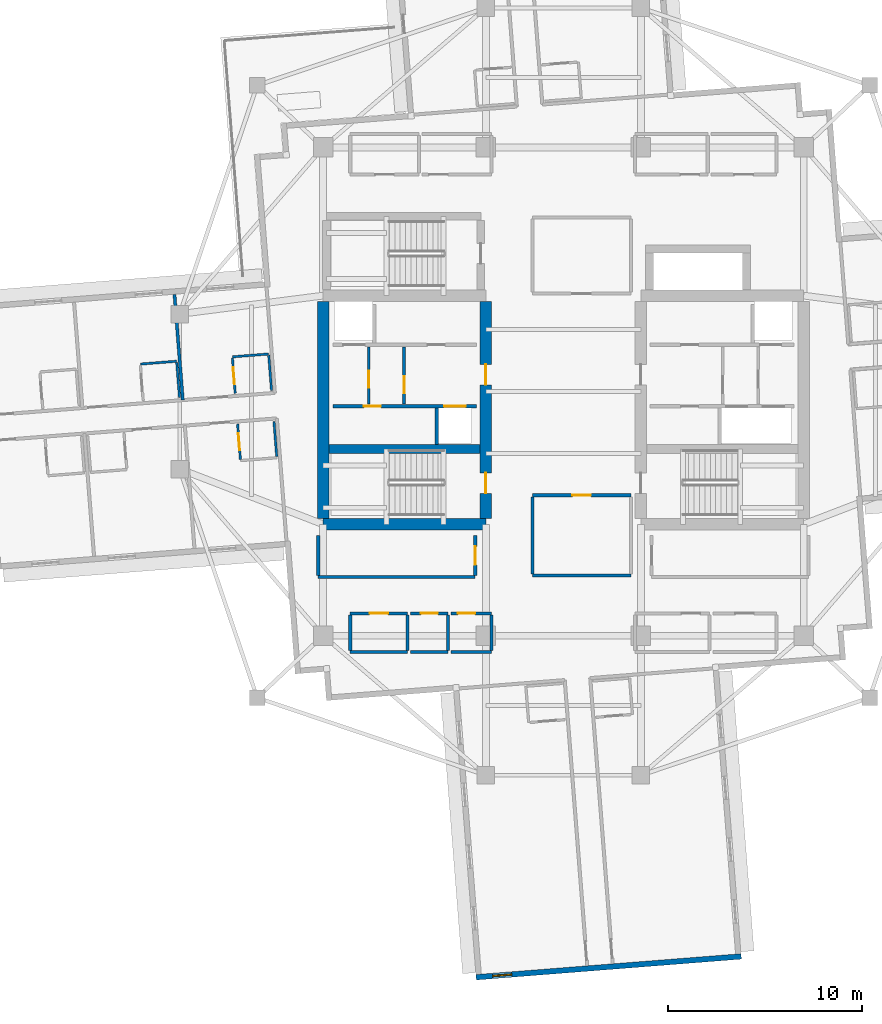
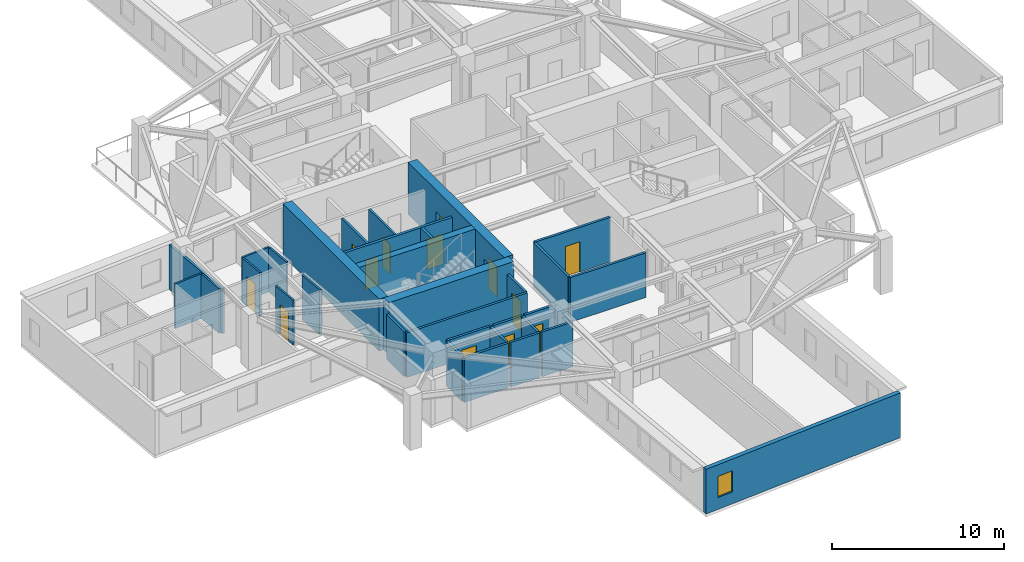
# One storey, part 4 of 13: 33 walls, 13 doors, 1 window, 14 openings.
"""IFC4 building model written with IfcOpenShell, lengths in metres."""

from ifc_helpers import new_model, si_unit, direction, frame, frame_2d, origin, place, context, subcontext, project, spatial, rectangle, extrude, material, layer, layer_set, type_object, element, fill, save


model = new_model("IFC4")

# Units and contexts
model_context = context("Model", 3, precision=1e-05, world=origin(), true_north=direction((0.0, 1.0)))
body_context = subcontext(model_context, "Body", "Model", "MODEL_VIEW")
ifc_project = project(units=[si_unit("LENGTHUNIT", "METRE"), si_unit("AREAUNIT", "SQUARE_METRE"), si_unit("VOLUMEUNIT", "CUBIC_METRE"), si_unit("PLANEANGLEUNIT", "RADIAN"), si_unit("MASSUNIT", "GRAM", prefix="KILO")], contexts=[model_context])

# Site, building, storey
site_placement = place(None, origin())
site = spatial("IfcSite", under=ifc_project, at=site_placement, CompositionType="ELEMENT")
building_placement = place(site_placement, origin())
building = spatial("IfcBuilding", under=site, at=building_placement, Name="Qingluan Cross Belvedere", CompositionType="ELEMENT")
storey_placement = place(building_placement, frame((0.0, 0.0, 205.199951171875)))
storey = spatial("IfcBuildingStorey", under=building, at=storey_placement, Name="L51", CompositionType="ELEMENT", Elevation=205.199951171875)

# Walls
ifc_material_1 = material(Name="Concrete C50", Category="concrete")
ifc_layer_1 = layer(ifc_material_1, 0.449951171875, Name="CoreShearWall_450")
ifc_layer_set_1 = layer_set([ifc_layer_1], Name="Concrete C50")
wall_type_1 = type_object("IfcWallType", Name="CoreShearWall_450", PredefinedType="SHEAR", material=ifc_layer_set_1)
wall_1_placement = place(storey_placement, frame((-12.094970703125, -2.9599609375, 0.0), z_axis=(0.0, 0.0, 1.0), x_axis=(1.0, 0.0, 0.0)))
element("IfcWall", 1, at=wall_1_placement, inside=storey, type_object=wall_type_1, Name="Split core W shear wall L51-M", PredefinedType="SHEAR", context=body_context, shape_type="SweptSolid", body=[
    extrude(rectangle(XDim=7.7900390625, YDim=0.449951171875, at=frame_2d((3.89501953125, 0.0))), origin(), (0.0, 0.0, 1.0), 3.699951171875),
])
ifc_material_2 = material(Name="Concrete C60", Category="concrete")
ifc_layer_2 = layer(ifc_material_2, 0.60009765625, Name="CoreShearWall_600")
ifc_layer_set_2 = layer_set([ifc_layer_2], Name="Concrete C60")
wall_type_2 = type_object("IfcWallType", Name="CoreShearWall_600", PredefinedType="SHEAR", material=ifc_layer_set_2)
wall_2_placement = place(storey_placement, frame((-12.39990234375, -6.85009765625, 0.0), z_axis=(0.0, 0.0, 1.0), x_axis=(1.0, 0.0, 0.0)))
element("IfcWall", 2, at=wall_2_placement, inside=storey, type_object=wall_type_2, Name="Split core W shear wall L51-S", PredefinedType="SHEAR", context=body_context, shape_type="SweptSolid", body=[
    extrude(rectangle(XDim=8.39990234375, YDim=0.60009765625, at=frame_2d((4.199951171875, 0.0))), origin(), (0.0, 0.0, 1.0), 3.699951171875),
])
wall_3_placement = place(storey_placement, frame((-12.39990234375, -6.544921875, 0.0), z_axis=(0.0, 0.0, 1.0), x_axis=(0.0, 1.0, 0.0)))
element("IfcWall", 3, at=wall_3_placement, inside=storey, type_object=wall_type_2, Name="Split core W shear wall L51-W", PredefinedType="SHEAR", context=body_context, shape_type="SweptSolid", body=[
    extrude(rectangle(XDim=11.18994140625, YDim=0.60009765625, at=frame_2d((5.594970703125, 0.0))), origin(), (0.0, 0.0, 1.0), 3.699951171875),
])

# Wall, openings, doors
wall_4_placement = place(storey_placement, frame((-4.0, -6.544921875, 0.0), z_axis=(0.0, 0.0, 1.0), x_axis=(0.0, 1.0, 0.0)))
wall_4 = element("IfcWall", 4, at=wall_4_placement, inside=storey, type_object=wall_type_2, Name="Split core W shear wall L51-E", PredefinedType="SHEAR", context=body_context, shape_type="SweptSolid", body=[
    extrude(rectangle(XDim=11.18994140625, YDim=0.60009765625, at=frame_2d((5.594970703125, 0.0))), origin(), (0.0, 0.0, 1.0), 3.699951171875),
])
opening_1_placement = place(wall_4_placement, frame((1.294921875, 0.0, 0.0)))
opening_1 = element("IfcOpeningElement", 5, at=opening_1_placement, cuts=wall_4, Name="Opening FD-B11", PredefinedType="OPENING", context=body_context, shape_type="SweptSolid", body=[
    extrude(rectangle(XDim=1.050048828125, YDim=2.14990234375, at=frame_2d((0.52490234375, 1.074951171875))), frame((0.0, 0.31005859375, 0.0), z_axis=(0.0, -1.0, 0.0), x_axis=(1.0, 0.0, 0.0)), (0.0, 0.0, 1.0), 0.6201171875),
])
opening_2_placement = place(wall_4_placement, frame((6.89501953125, 0.0, 0.0)))
opening_2 = element("IfcOpeningElement", 6, at=opening_2_placement, cuts=wall_4, Name="Opening FD-B11", PredefinedType="OPENING", context=body_context, shape_type="SweptSolid", body=[
    extrude(rectangle(XDim=1.050048828125, YDim=2.14990234375, at=frame_2d((0.52490234375, 1.074951171875))), frame((0.0, 0.31005859375, 0.0), z_axis=(0.0, -1.0, 0.0), x_axis=(1.0, 0.0, 0.0)), (0.0, 0.0, 1.0), 0.6201171875),
])
ifc_material_3 = material(Name="Steel Class B smoke-seal fire door", Category="steel")
door_type_1 = type_object("IfcDoorType", Name="StairLobbyFireDoor_FDB", OperationType="NOTDEFINED", PredefinedType="DOOR", material=ifc_material_3)
door_1_placement = place(opening_1_placement, origin())
door_1 = element("IfcDoor", 7, at=door_1_placement, inside=storey, type_object=door_type_1, Name="Smoke-proof stair ST1 fire door L51", OperationType="SINGLE_SWING_LEFT", OverallHeight=2.14990234375, OverallWidth=1.050048828125, PredefinedType="DOOR", context=body_context, shape_type="SweptSolid", body=[
    extrude(rectangle(XDim=1.050048828125, YDim=2.14990234375, at=frame_2d((0.52490234375, 1.074951171875))), frame((0.0, 0.02490234375, 0.0), z_axis=(0.0, -1.0, 0.0), x_axis=(1.0, 0.0, 0.0)), (0.0, 0.0, 1.0), 0.050048828125),
])
fill(opening_1, door_1)
door_2_placement = place(opening_2_placement, origin())
door_2 = element("IfcDoor", 8, at=door_2_placement, inside=storey, type_object=door_type_1, Name="Firefighting lobby West fire door L51", OperationType="SINGLE_SWING_LEFT", OverallHeight=2.14990234375, OverallWidth=1.050048828125, PredefinedType="DOOR", context=body_context, shape_type="SweptSolid", body=[
    extrude(rectangle(XDim=1.050048828125, YDim=2.14990234375, at=frame_2d((0.52490234375, 1.074951171875))), frame((0.0, 0.02490234375, 0.0), z_axis=(0.0, -1.0, 0.0), x_axis=(1.0, 0.0, 0.0)), (0.0, 0.0, 1.0), 0.050048828125),
])
fill(opening_2, door_2)

# Wall, opening, door
ifc_material_4 = material(Name="Gypsum plasterboard on steel stud acoustic partition", Category="steel")
ifc_layer_3 = layer(ifc_material_4, 0.159912109375, Name="CorridorPartition_160")
ifc_layer_set_3 = layer_set([ifc_layer_3], Name="Gypsum plasterboard on steel stud acoustic partition")
wall_type_3 = type_object("IfcWallType", Name="CorridorPartition_160", PredefinedType="PARTITIONING", material=ifc_layer_set_3)
wall_5_placement = place(storey_placement, frame((-10.050048828125, -0.652099609375, 0.0), z_axis=(0.0, 0.0, 1.0), x_axis=(0.0, 1.0, 0.0)))
wall_5 = element("IfcWall", 9, at=wall_5_placement, inside=storey, type_object=wall_type_3, Name="Partition L51:wv", PredefinedType="PARTITIONING", context=body_context, shape_type="SweptSolid", body=[
    extrude(rectangle(XDim=2.962158203125, YDim=0.139892578125, at=frame_2d((1.48095703125, 0.0))), origin(), (0.0, 0.0, 1.0), 3.170166015625),
])
opening_3_placement = place(wall_5_placement, frame((0.85009765625, 0.0, 0.0)))
opening_3 = element("IfcOpeningElement", 10, at=opening_3_placement, cuts=wall_5, Name="Opening FD-B10", PredefinedType="OPENING", context=body_context, shape_type="SweptSolid", body=[
    extrude(rectangle(XDim=0.8798828125, YDim=2.10009765625, at=frame_2d((0.43994140625, 1.050048828125))), frame((0.0, 0.079833984375, 0.0), z_axis=(0.0, -1.0, 0.0), x_axis=(1.0, 0.0, 0.0)), (0.0, 0.0, 1.0), 0.159912109375),
])
ifc_material_5 = material(Name="Steel Class B service fire door", Category="steel")
door_type_2 = type_object("IfcDoorType", Name="RiserServiceFireDoor_FDB", OperationType="NOTDEFINED", PredefinedType="DOOR", material=ifc_material_5)
door_3_placement = place(opening_3_placement, origin())
door_3 = element("IfcDoor", 11, at=door_3_placement, inside=storey, type_object=door_type_2, Name="Service closet inner door L51", OperationType="SINGLE_SWING_RIGHT", OverallHeight=2.10009765625, OverallWidth=0.8798828125, PredefinedType="DOOR", context=body_context, shape_type="SweptSolid", body=[
    extrude(rectangle(XDim=0.8798828125, YDim=2.10009765625, at=frame_2d((0.43994140625, 1.050048828125))), frame((0.0, 0.02490234375, 0.0), z_axis=(0.0, -1.0, 0.0), x_axis=(1.0, 0.0, 0.0)), (0.0, 0.0, 1.0), 0.050048828125),
])
fill(opening_3, door_3)

# Wall
wall_6_placement = place(storey_placement, frame((-11.0, -13.449951171875, 0.0), z_axis=(0.0, 0.0, 1.0), x_axis=(1.0, 0.0, 0.0)))
element("IfcWall", 12, at=wall_6_placement, inside=storey, type_object=wall_type_3, Name="Partition L51:q_sw_occ:S", PredefinedType="PARTITIONING", context=body_context, shape_type="SweptSolid", body=[
    extrude(rectangle(XDim=2.949951171875, YDim=0.159912109375, at=frame_2d((1.47509765625, 0.0))), origin(), (0.0, 0.0, 1.0), 3.170166015625),
])

# Wall, opening, door
wall_7_placement = place(storey_placement, frame((-11.0, -11.449951171875, 0.0), z_axis=(0.0, 0.0, 1.0), x_axis=(1.0, 0.0, 0.0)))
wall_7 = element("IfcWall", 13, at=wall_7_placement, inside=storey, type_object=wall_type_3, Name="Partition L51:q_sw_occ:N", PredefinedType="PARTITIONING", context=body_context, shape_type="SweptSolid", body=[
    extrude(rectangle(XDim=2.949951171875, YDim=0.159912109375, at=frame_2d((1.47509765625, 0.0))), origin(), (0.0, 0.0, 1.0), 3.170166015625),
])
opening_4_placement = place(wall_7_placement, frame((0.9951171875, 0.0, 0.0)))
opening_4 = element("IfcOpeningElement", 14, at=opening_4_placement, cuts=wall_7, Name="Opening GD-10", PredefinedType="OPENING", context=body_context, shape_type="SweptSolid", body=[
    extrude(rectangle(XDim=0.9599609375, YDim=2.14990234375, at=frame_2d((0.47998046875, 1.074951171875))), frame((0.0, 0.08984375, 0.0), z_axis=(0.0, -1.0, 0.0), x_axis=(1.0, 0.0, 0.0)), (0.0, 0.0, 1.0), 0.179931640625),
])
ifc_material_6 = material(Name="Timber oak fire-rated acoustic guestroom door", Category="wood")
door_type_3 = type_object("IfcDoorType", Name="GuestEntryDoor_FD60", OperationType="NOTDEFINED", PredefinedType="DOOR", material=ifc_material_6)
door_4_placement = place(opening_4_placement, origin())
door_4 = element("IfcDoor", 15, at=door_4_placement, inside=storey, type_object=door_type_3, Name="Music listening study L51 door", OperationType="SINGLE_SWING_RIGHT", OverallHeight=2.14990234375, OverallWidth=0.9599609375, PredefinedType="DOOR", context=body_context, shape_type="SweptSolid", body=[
    extrude(rectangle(XDim=0.9599609375, YDim=2.14990234375, at=frame_2d((0.47998046875, 1.074951171875))), frame((0.0, 0.02490234375, 0.0), z_axis=(0.0, -1.0, 0.0), x_axis=(1.0, 0.0, 0.0)), (0.0, 0.0, 1.0), 0.050048828125),
])
fill(opening_4, door_4)

# Walls
for number, where, z_axis, x_axis, name in (
    (16, (-11.0, -13.364990234375, 0.0), (0.0, 0.0, 1.0), (0.0, 1.0, 0.0), "Partition L51:q_sw_occ:W"),
    (17, (-8.050048828125, -13.364990234375, 0.0), (0.0, 0.0, 1.0), (0.0, 1.0, 0.0), "Partition L51:q_sw_occ:E"),
):
    element("IfcWall", number, at=place(storey_placement, frame(where, z_axis=z_axis, x_axis=x_axis)), inside=storey, type_object=wall_type_3, Name=name, PredefinedType="PARTITIONING", context=body_context, shape_type="SweptSolid", body=[
        extrude(rectangle(XDim=1.830078125, YDim=0.159912109375, at=frame_2d((0.9150390625, 0.0))), origin(), (0.0, 0.0, 1.0), 3.170166015625),
    ])
wall_8_placement = place(storey_placement, frame((-7.889892578125, -13.449951171875, 0.0), z_axis=(0.0, 0.0, 1.0), x_axis=(1.0, 0.0, 0.0)))
element("IfcWall", 18, at=wall_8_placement, inside=storey, type_object=wall_type_3, Name="Partition L51:hk_linen:S", PredefinedType="PARTITIONING", context=body_context, shape_type="SweptSolid", body=[
    extrude(rectangle(XDim=1.93994140625, YDim=0.159912109375, at=frame_2d((0.969970703125, 0.0))), origin(), (0.0, 0.0, 1.0), 3.170166015625),
])

# Wall, opening, door
wall_9_placement = place(storey_placement, frame((-7.889892578125, -11.449951171875, 0.0), z_axis=(0.0, 0.0, 1.0), x_axis=(1.0, 0.0, 0.0)))
wall_9 = element("IfcWall", 19, at=wall_9_placement, inside=storey, type_object=wall_type_3, Name="Partition L51:hk_linen:N", PredefinedType="PARTITIONING", context=body_context, shape_type="SweptSolid", body=[
    extrude(rectangle(XDim=1.93994140625, YDim=0.159912109375, at=frame_2d((0.969970703125, 0.0))), origin(), (0.0, 0.0, 1.0), 3.170166015625),
])
opening_5_placement = place(wall_9_placement, frame((0.530029296875, 0.0, 0.0)))
opening_5 = element("IfcOpeningElement", 20, at=opening_5_placement, cuts=wall_9, Name="Opening FD-B10", PredefinedType="OPENING", context=body_context, shape_type="SweptSolid", body=[
    extrude(rectangle(XDim=0.8798828125, YDim=2.10009765625, at=frame_2d((0.43994140625, 1.050048828125))), frame((0.0, 0.08984375, 0.0), z_axis=(0.0, -1.0, 0.0), x_axis=(1.0, 0.0, 0.0)), (0.0, 0.0, 1.0), 0.179931640625),
])
door_5_placement = place(opening_5_placement, origin())
door_5 = element("IfcDoor", 21, at=door_5_placement, inside=storey, type_object=door_type_2, Name="Housekeeping and linen store L51 door", OperationType="SINGLE_SWING_LEFT", OverallHeight=2.10009765625, OverallWidth=0.8798828125, PredefinedType="DOOR", context=body_context, shape_type="SweptSolid", body=[
    extrude(rectangle(XDim=0.8798828125, YDim=2.10009765625, at=frame_2d((0.43994140625, 1.050048828125))), frame((0.0, 0.02490234375, 0.0), z_axis=(0.0, -1.0, 0.0), x_axis=(1.0, 0.0, 0.0)), (0.0, 0.0, 1.0), 0.050048828125),
])
fill(opening_5, door_5)

# Walls
wall_10_placement = place(storey_placement, frame((-5.949951171875, -13.364990234375, 0.0), z_axis=(0.0, 0.0, 1.0), x_axis=(0.0, 1.0, 0.0)))
element("IfcWall", 22, at=wall_10_placement, inside=storey, type_object=wall_type_3, Name="Partition L51:hk_linen:E", PredefinedType="PARTITIONING", context=body_context, shape_type="SweptSolid", body=[
    extrude(rectangle(XDim=1.830078125, YDim=0.159912109375, at=frame_2d((0.9150390625, 0.0))), origin(), (0.0, 0.0, 1.0), 3.170166015625),
])
wall_11_placement = place(storey_placement, frame((-5.7900390625, -13.449951171875, 0.0), z_axis=(0.0, 0.0, 1.0), x_axis=(1.0, 0.0, 0.0)))
element("IfcWall", 23, at=wall_11_placement, inside=storey, type_object=wall_type_3, Name="Partition L51:floor_acc_wc:S", PredefinedType="PARTITIONING", context=body_context, shape_type="SweptSolid", body=[
    extrude(rectangle(XDim=2.090087890625, YDim=0.159912109375, at=frame_2d((1.044921875, 0.0))), origin(), (0.0, 0.0, 1.0), 3.170166015625),
])

# Wall, opening, door
wall_12_placement = place(storey_placement, frame((-5.7900390625, -11.449951171875, 0.0), z_axis=(0.0, 0.0, 1.0), x_axis=(1.0, 0.0, 0.0)))
wall_12 = element("IfcWall", 24, at=wall_12_placement, inside=storey, type_object=wall_type_3, Name="Partition L51:floor_acc_wc:N", PredefinedType="PARTITIONING", context=body_context, shape_type="SweptSolid", body=[
    extrude(rectangle(XDim=2.090087890625, YDim=0.159912109375, at=frame_2d((1.044921875, 0.0))), origin(), (0.0, 0.0, 1.0), 3.170166015625),
])
opening_6_placement = place(wall_12_placement, frame((0.35009765625, 0.0, 0.0)))
opening_6 = element("IfcOpeningElement", 25, at=opening_6_placement, cuts=wall_12, Name="Opening BD-08", PredefinedType="OPENING", context=body_context, shape_type="SweptSolid", body=[
    extrude(rectangle(XDim=0.8798828125, YDim=2.14990234375, at=frame_2d((0.43994140625, 1.074951171875))), frame((0.0, 0.08984375, 0.0), z_axis=(0.0, -1.0, 0.0), x_axis=(1.0, 0.0, 0.0)), (0.0, 0.0, 1.0), 0.179931640625),
])
ifc_material_7 = material(Name="Moisture-sealed timber accessible WC door", Category="wood")
door_type_4 = type_object("IfcDoorType", Name="AccessibleWCDoor_880", OperationType="NOTDEFINED", PredefinedType="DOOR", material=ifc_material_7)
door_6_placement = place(opening_6_placement, origin())
door_6 = element("IfcDoor", 26, at=door_6_placement, inside=storey, type_object=door_type_4, Name="Accessible guest washroom L51 door", OperationType="SINGLE_SWING_RIGHT", OverallHeight=2.14990234375, OverallWidth=0.8798828125, PredefinedType="DOOR", context=body_context, shape_type="SweptSolid", body=[
    extrude(rectangle(XDim=0.8798828125, YDim=2.14990234375, at=frame_2d((0.43994140625, 1.074951171875))), frame((0.0, 0.02490234375, 0.0), z_axis=(0.0, -1.0, 0.0), x_axis=(1.0, 0.0, 0.0)), (0.0, 0.0, 1.0), 0.050048828125),
])
fill(opening_6, door_6)

# Walls
wall_13_placement = place(storey_placement, frame((-3.699951171875, -13.364990234375, 0.0), z_axis=(0.0, 0.0, 1.0), x_axis=(0.0, 1.0, 0.0)))
element("IfcWall", 27, at=wall_13_placement, inside=storey, type_object=wall_type_3, Name="Partition L51:floor_acc_wc:E", PredefinedType="PARTITIONING", context=body_context, shape_type="SweptSolid", body=[
    extrude(rectangle(XDim=1.830078125, YDim=0.159912109375, at=frame_2d((0.9150390625, 0.0))), origin(), (0.0, 0.0, 1.0), 3.170166015625),
])
wall_14_placement = place(storey_placement, frame((-1.60009765625, -9.5, 0.0), z_axis=(0.0, 0.0, 1.0), x_axis=(1.0, 0.0, 0.0)))
element("IfcWall", 28, at=wall_14_placement, inside=storey, type_object=wall_type_3, Name="Partition L51:sky_south_alcove:S", PredefinedType="PARTITIONING", context=body_context, shape_type="SweptSolid", body=[
    extrude(rectangle(XDim=5.080078125, YDim=0.159912109375, at=frame_2d((2.5400390625, 0.0))), origin(), (0.0, 0.0, 1.0), 3.170166015625),
])

# Wall, opening, door
wall_15_placement = place(storey_placement, frame((-1.60009765625, -5.35009765625, 0.0), z_axis=(0.0, 0.0, 1.0), x_axis=(1.0, 0.0, 0.0)))
wall_15 = element("IfcWall", 29, at=wall_15_placement, inside=storey, type_object=wall_type_3, Name="Partition L51:sky_south_alcove:N", PredefinedType="PARTITIONING", context=body_context, shape_type="SweptSolid", body=[
    extrude(rectangle(XDim=5.080078125, YDim=0.159912109375, at=frame_2d((2.5400390625, 0.0))), origin(), (0.0, 0.0, 1.0), 3.170166015625),
])
opening_7_placement = place(wall_15_placement, frame((2.06005859375, 0.0, 0.0)))
opening_7 = element("IfcOpeningElement", 30, at=opening_7_placement, cuts=wall_15, Name="Opening GD-10", PredefinedType="OPENING", context=body_context, shape_type="SweptSolid", body=[
    extrude(rectangle(XDim=0.9599609375, YDim=2.14990234375, at=frame_2d((0.47998046875, 1.074951171875))), frame((0.0, 0.08984375, 0.0), z_axis=(0.0, -1.0, 0.0), x_axis=(1.0, 0.0, 0.0)), (0.0, 0.0, 1.0), 0.179931640625),
])
door_7_placement = place(opening_7_placement, origin())
door_7 = element("IfcDoor", 31, at=door_7_placement, inside=storey, type_object=door_type_3, Name="South horizon reading alcove L51 door", OperationType="SINGLE_SWING_RIGHT", OverallHeight=2.14990234375, OverallWidth=0.9599609375, PredefinedType="DOOR", context=body_context, shape_type="SweptSolid", body=[
    extrude(rectangle(XDim=0.9599609375, YDim=2.14990234375, at=frame_2d((0.47998046875, 1.074951171875))), frame((0.0, 0.02490234375, 0.0), z_axis=(0.0, -1.0, 0.0), x_axis=(1.0, 0.0, 0.0)), (0.0, 0.0, 1.0), 0.050048828125),
])
fill(opening_7, door_7)

# Walls
wall_16_placement = place(storey_placement, frame((-1.60009765625, -9.4150390625, 0.0), z_axis=(0.0, 0.0, 1.0), x_axis=(0.0, 1.0, 0.0)))
element("IfcWall", 32, at=wall_16_placement, inside=storey, type_object=wall_type_3, Name="Partition L51:sky_south_alcove:W", PredefinedType="PARTITIONING", context=body_context, shape_type="SweptSolid", body=[
    extrude(rectangle(XDim=3.97998046875, YDim=0.159912109375, at=frame_2d((1.989990234375, 0.0))), origin(), (0.0, 0.0, 1.0), 3.170166015625),
])
wall_17_placement = place(storey_placement, frame((-12.64990234375, -9.580078125, 0.0), z_axis=(0.0, 0.0, 1.0), x_axis=(1.0, 0.0, 0.0)))
element("IfcWall", 33, at=wall_17_placement, inside=storey, type_object=wall_type_3, Name="Partition L51:rec_st4_w:S", PredefinedType="PARTITIONING", context=body_context, shape_type="SweptSolid", body=[
    extrude(rectangle(XDim=8.099853515625, YDim=0.159912109375, at=frame_2d((4.0498046875, 0.0))), origin(), (0.0, 0.0, 1.0), 3.170166015625),
])
wall_18_placement = place(storey_placement, frame((-12.64990234375, -9.4951171875, 0.0), z_axis=(0.0, 0.0, 1.0), x_axis=(0.0, 1.0, 0.0)))
element("IfcWall", 34, at=wall_18_placement, inside=storey, type_object=wall_type_3, Name="Partition L51:rec_st4_w:W", PredefinedType="PARTITIONING", context=body_context, shape_type="SweptSolid", body=[
    extrude(rectangle(XDim=2.06005859375, YDim=0.159912109375, at=frame_2d((1.030029296875, 0.0))), origin(), (0.0, 0.0, 1.0), 3.170166015625),
])

# Wall, opening, door
wall_19_placement = place(storey_placement, frame((-4.550048828125, -9.4951171875, 0.0), z_axis=(0.0, 0.0, 1.0), x_axis=(0.0, 1.0, 0.0)))
wall_19 = element("IfcWall", 35, at=wall_19_placement, inside=storey, type_object=wall_type_3, Name="Partition L51:rec_st4_w:E", PredefinedType="PARTITIONING", context=body_context, shape_type="SweptSolid", body=[
    extrude(rectangle(XDim=2.06005859375, YDim=0.159912109375, at=frame_2d((1.030029296875, 0.0))), origin(), (0.0, 0.0, 1.0), 3.170166015625),
])
opening_8_placement = place(wall_19_placement, frame((0.550048828125, 0.0, 0.0)))
opening_8 = element("IfcOpeningElement", 36, at=opening_8_placement, cuts=wall_19, Name="Opening GD-10", PredefinedType="OPENING", context=body_context, shape_type="SweptSolid", body=[
    extrude(rectangle(XDim=0.9599609375, YDim=2.14990234375, at=frame_2d((0.47998046875, 1.074951171875))), frame((0.0, 0.08984375, 0.0), z_axis=(0.0, -1.0, 0.0), x_axis=(1.0, 0.0, 0.0)), (0.0, 0.0, 1.0), 0.179931640625),
])
door_8_placement = place(opening_8_placement, origin())
door_8 = element("IfcDoor", 37, at=door_8_placement, inside=storey, type_object=door_type_3, Name="Southwest club reading room L51 door", OperationType="SINGLE_SWING_RIGHT", OverallHeight=2.14990234375, OverallWidth=0.9599609375, PredefinedType="DOOR", context=body_context, shape_type="SweptSolid", body=[
    extrude(rectangle(XDim=0.9599609375, YDim=2.14990234375, at=frame_2d((0.47998046875, 1.074951171875))), frame((0.0, 0.02490234375, 0.0), z_axis=(0.0, -1.0, 0.0), x_axis=(1.0, 0.0, 0.0)), (0.0, 0.0, 1.0), 0.050048828125),
])
fill(opening_8, door_8)

# Wall
wall_20_placement = place(storey_placement, frame((-19.638916015625, -0.442138671875, 0.0), z_axis=(0.0, 0.0, 1.0), x_axis=(-0.078436439621, 0.996919116548, 0.0)))
element("IfcWall", 38, at=wall_20_placement, inside=storey, type_object=wall_type_3, Name="Partition L51:W:d0_0", PredefinedType="PARTITIONING", context=body_context, shape_type="SweptSolid", body=[
    extrude(rectangle(XDim=5.471923828125, YDim=0.159912109375, at=frame_2d((2.73583984375, 0.0))), origin(), (0.0, 0.0, 1.0), 3.170166015625),
])

# Wall, opening, door
ifc_material_8 = material(Name="Moisture-resistant gypsum board lining")
ifc_layer_4 = layer(ifc_material_8, 0.1201171875, Name="EnsuiteWetPartition_120")
ifc_layer_set_4 = layer_set([ifc_layer_4], Name="Moisture-resistant gypsum board lining")
wall_type_4 = type_object("IfcWallType", Name="EnsuiteWetPartition_120", PredefinedType="PARTITIONING", material=ifc_layer_set_4)
wall_21_placement = place(storey_placement, frame((-16.935302734375, -0.089111328125, 0.0), z_axis=(0.0, 0.0, 1.0), x_axis=(-0.078337634704, 0.996926885478, 0.0)))
wall_21 = element("IfcWall", 39, at=wall_21_placement, inside=storey, type_object=wall_type_4, Name="Partition L51:W:bs0_0", PredefinedType="PARTITIONING", context=body_context, shape_type="SweptSolid", body=[
    extrude(rectangle(XDim=1.820068359375, YDim=0.1201171875, at=frame_2d((0.91015625, 0.0))), origin(), (0.0, 0.0, 1.0), 3.170166015625),
])
opening_9_placement = place(wall_21_placement, frame((0.469970703125, 0.0, 0.0)))
opening_9 = element("IfcOpeningElement", 40, at=opening_9_placement, cuts=wall_21, Name="Opening BD-09", PredefinedType="OPENING", context=body_context, shape_type="SweptSolid", body=[
    extrude(rectangle(XDim=0.8798828125, YDim=2.10009765625, at=frame_2d((0.43994140625, 1.050048828125))), frame((0.0, 0.070068359375, 0.0), z_axis=(0.0, -1.0, 0.0), x_axis=(1.0, 0.0, 0.0)), (0.0, 0.0, 1.0), 0.14013671875),
])
ifc_material_9 = material(Name="Moisture-sealed timber en-suite door", Category="wood")
door_type_5 = type_object("IfcDoorType", Name="BathroomDoor_880", OperationType="NOTDEFINED", PredefinedType="DOOR", material=ifc_material_9)
door_9_placement = place(opening_9_placement, origin())
door_9 = element("IfcDoor", 41, at=door_9_placement, inside=storey, type_object=door_type_5, Name="Bathroom door 5107", OperationType="SINGLE_SWING_RIGHT", OverallHeight=2.10009765625, OverallWidth=0.8798828125, PredefinedType="DOOR", context=body_context, shape_type="SweptSolid", body=[
    extrude(rectangle(XDim=0.8798828125, YDim=2.10009765625, at=frame_2d((0.43994140625, 1.050048828125))), frame((0.0, 0.02490234375, 0.0), z_axis=(0.0, -1.0, 0.0), x_axis=(1.0, 0.0, 0.0)), (0.0, 0.0, 1.0), 0.050048828125),
])
fill(opening_9, door_9)

# Walls
wall_22_placement = place(storey_placement, frame((-15.06103515625, 0.05859375, 0.0), z_axis=(0.0, 0.0, 1.0), x_axis=(-0.078481444107, 0.996915574626, 0.0)))
element("IfcWall", 42, at=wall_22_placement, inside=storey, type_object=wall_type_4, Name="Partition L51:W:bw0_0", PredefinedType="PARTITIONING", context=body_context, shape_type="SweptSolid", body=[
    extrude(rectangle(XDim=1.81982421875, YDim=0.1201171875, at=frame_2d((0.909912109375, 0.0))), origin(), (0.0, 0.0, 1.0), 3.170166015625),
])
wall_23_placement = place(storey_placement, frame((-15.208984375, 1.937744140625, 0.0), z_axis=(0.0, 0.0, 1.0), x_axis=(-0.99691849475, -0.078444342213, 0.0)))
element("IfcWall", 43, at=wall_23_placement, inside=storey, type_object=wall_type_4, Name="Partition L51:W:bn0_0", PredefinedType="PARTITIONING", context=body_context, shape_type="SweptSolid", body=[
    extrude(rectangle(XDim=1.8798828125, YDim=0.1201171875, at=frame_2d((0.93994140625, 0.0))), origin(), (0.0, 0.0, 1.0), 3.170166015625),
])
wall_24_placement = place(storey_placement, frame((-19.809326171875, -0.315185546875, 0.0), z_axis=(0.0, 0.0, 1.0), x_axis=(-0.0784709492, 0.996916400774, 0.0)))
element("IfcWall", 44, at=wall_24_placement, inside=storey, type_object=wall_type_4, Name="Partition L51:W:bw0_1", PredefinedType="PARTITIONING", context=body_context, shape_type="SweptSolid", body=[
    extrude(rectangle(XDim=1.820068359375, YDim=0.1201171875, at=frame_2d((0.91015625, 0.0))), origin(), (0.0, 0.0, 1.0), 3.170166015625),
])
wall_25_placement = place(storey_placement, frame((-19.957275390625, 1.56396484375, 0.0), z_axis=(0.0, 0.0, 1.0), x_axis=(-0.99691849475, -0.078444342213, 0.0)))
element("IfcWall", 45, at=wall_25_placement, inside=storey, type_object=wall_type_4, Name="Partition L51:W:bn0_1", PredefinedType="PARTITIONING", context=body_context, shape_type="SweptSolid", body=[
    extrude(rectangle(XDim=1.8798828125, YDim=0.1201171875, at=frame_2d((0.93994140625, 0.0))), origin(), (0.0, 0.0, 1.0), 3.170166015625),
])

# Wall, opening, door
wall_26_placement = place(storey_placement, frame((-16.6669921875, -3.49853515625, 0.0), z_axis=(0.0, 0.0, 1.0), x_axis=(-0.0784709492, 0.996916400774, 0.0)))
wall_26 = element("IfcWall", 46, at=wall_26_placement, inside=storey, type_object=wall_type_4, Name="Partition L51:W:bs1_0", PredefinedType="PARTITIONING", context=body_context, shape_type="SweptSolid", body=[
    extrude(rectangle(XDim=1.820068359375, YDim=0.1201171875, at=frame_2d((0.91015625, 0.0))), origin(), (0.0, 0.0, 1.0), 3.170166015625),
])
opening_10_placement = place(wall_26_placement, frame((0.469970703125, 0.0, 0.0)))
opening_10 = element("IfcOpeningElement", 47, at=opening_10_placement, cuts=wall_26, Name="Opening BD-09", PredefinedType="OPENING", context=body_context, shape_type="SweptSolid", body=[
    extrude(rectangle(XDim=0.8798828125, YDim=2.10009765625, at=frame_2d((0.43994140625, 1.050048828125))), frame((0.0, 0.070068359375, 0.0), z_axis=(0.0, -1.0, 0.0), x_axis=(1.0, 0.0, 0.0)), (0.0, 0.0, 1.0), 0.14013671875),
])
door_10_placement = place(opening_10_placement, origin())
door_10 = element("IfcDoor", 48, at=door_10_placement, inside=storey, type_object=door_type_5, Name="Bathroom door 5110", OperationType="SINGLE_SWING_RIGHT", OverallHeight=2.10009765625, OverallWidth=0.8798828125, PredefinedType="DOOR", context=body_context, shape_type="SweptSolid", body=[
    extrude(rectangle(XDim=0.8798828125, YDim=2.10009765625, at=frame_2d((0.43994140625, 1.050048828125))), frame((0.0, 0.02490234375, 0.0), z_axis=(0.0, -1.0, 0.0), x_axis=(1.0, 0.0, 0.0)), (0.0, 0.0, 1.0), 0.050048828125),
])
fill(opening_10, door_10)

# Wall
wall_27_placement = place(storey_placement, frame((-14.792724609375, -3.35107421875, 0.0), z_axis=(0.0, 0.0, 1.0), x_axis=(-0.0784709492, 0.996916400774, 0.0)))
element("IfcWall", 49, at=wall_27_placement, inside=storey, type_object=wall_type_4, Name="Partition L51:W:bw1_0", PredefinedType="PARTITIONING", context=body_context, shape_type="SweptSolid", body=[
    extrude(rectangle(XDim=1.820068359375, YDim=0.1201171875, at=frame_2d((0.91015625, 0.0))), origin(), (0.0, 0.0, 1.0), 3.170166015625),
])

# Wall, opening, window
ifc_material_10 = material(Name="Precast concrete C45", Category="concrete")
ifc_layer_5 = layer(ifc_material_10, 0.280029296875, Name="PrecastFacadeWall_280")
ifc_layer_set_5 = layer_set([ifc_layer_5], Name="Precast concrete C45")
wall_type_5 = type_object("IfcWallType", Name="PrecastFacadeWall_280", PredefinedType="STANDARD", material=ifc_layer_set_5)
wall_28_placement = place(storey_placement, frame((-4.502197265625, -30.226318359375, 0.0), z_axis=(0.0, 0.0, 1.0), x_axis=(0.996917480881, 0.078457226018, 0.0)))
wall_28 = element("IfcWall", 50, at=wall_28_placement, inside=storey, type_object=wall_type_5, Name="Arm tip precast facade wall L51-S", PredefinedType="STANDARD", context=body_context, shape_type="SweptSolid", body=[
    extrude(rectangle(XDim=13.7197265625, YDim=0.280029296875, at=frame_2d((6.85986328125, 0.0))), origin(), (0.0, 0.0, 1.0), 3.179931640625),
])
opening_11_placement = place(wall_28_placement, frame((0.85009765625, 0.0, 0.85009765625)))
opening_11 = element("IfcOpeningElement", 51, at=opening_11_placement, cuts=wall_28, Name="Opening W-03", PredefinedType="OPENING", context=body_context, shape_type="SweptSolid", body=[
    extrude(rectangle(XDim=1.0, YDim=1.5, at=frame_2d((0.5, 0.75))), frame((0.0, 0.14990234375, 0.0), z_axis=(0.0, -1.0, 0.0), x_axis=(1.0, 0.0, 0.0)), (0.0, 0.0, 1.0), 0.300048828125),
])
ifc_material_11 = material(Name="Thermally broken triple Low-E glass in aluminium frame", Category="aluminium")
window_type = type_object("IfcWindowType", Name="TriApexWin_1000x1500", PartitioningType="SINGLE_PANEL", PredefinedType="WINDOW", material=ifc_material_11)
window_placement = place(opening_11_placement, origin())
window = element("IfcWindow", 52, at=window_placement, inside=storey, type_object=window_type, Name="Arm tip triangular window L51-S", OverallHeight=1.5, OverallWidth=1.0, PartitioningType="SINGLE_PANEL", PredefinedType="WINDOW", context=body_context, shape_type="SweptSolid", body=[
    extrude(rectangle(XDim=1.0, YDim=1.5, at=frame_2d((0.5, 0.75))), frame((0.0, 0.030029296875, 0.0), z_axis=(0.0, -1.0, 0.0), x_axis=(1.0, 0.0, 0.0)), (0.0, 0.0, 1.0), 0.06005859375),
])
fill(opening_11, window)

# Wall, openings, doors
ifc_material_12 = material(Name="Concrete C40", Category="concrete")
ifc_layer_6 = layer(ifc_material_12, 0.219970703125, Name="ShaftEnclosureWall_250")
ifc_layer_set_6 = layer_set([ifc_layer_6], Name="Concrete C40")
wall_type_6 = type_object("IfcWallType", Name="ShaftEnclosureWall_250", PredefinedType="SOLIDWALL", material=ifc_layer_set_6)
wall_29_placement = place(storey_placement, frame((-11.89990234375, -0.75, 0.0), z_axis=(0.0, 0.0, 1.0), x_axis=(1.0, 0.0, 0.0)))
wall_29 = element("IfcWall", 53, at=wall_29_placement, inside=storey, type_object=wall_type_6, Name="Core-W mid hoistway wall L51", PredefinedType="SOLIDWALL", context=body_context, shape_type="SweptSolid", body=[
    extrude(rectangle(XDim=7.419921875, YDim=0.179931640625, at=frame_2d((3.7099609375, 0.0))), origin(), (0.0, 0.0, 1.0), 3.170166015625),
])
opening_12_placement = place(wall_29_placement, frame((5.75, 0.0, 0.0)))
opening_12 = element("IfcOpeningElement", 54, at=opening_12_placement, cuts=wall_29, Name="Opening LD-11", PredefinedType="OPENING", context=body_context, shape_type="SweptSolid", body=[
    extrude(rectangle(XDim=1.10009765625, YDim=2.14990234375, at=frame_2d((0.550048828125, 1.074951171875))), frame((0.0, 0.099853515625, 0.0), z_axis=(0.0, -1.0, 0.0), x_axis=(1.0, 0.0, 0.0)), (0.0, 0.0, 1.0), 0.199951171875),
])
opening_13_placement = place(wall_29_placement, frame((1.60009765625, 0.0, 0.0)))
opening_13 = element("IfcOpeningElement", 55, at=opening_13_placement, cuts=wall_29, Name="Opening FD-B10", PredefinedType="OPENING", context=body_context, shape_type="SweptSolid", body=[
    extrude(rectangle(XDim=0.8798828125, YDim=2.10009765625, at=frame_2d((0.43994140625, 1.050048828125))), frame((0.0, 0.099853515625, 0.0), z_axis=(0.0, -1.0, 0.0), x_axis=(1.0, 0.0, 0.0)), (0.0, 0.0, 1.0), 0.199951171875),
])
ifc_material_13 = material(Name="Brushed stainless steel centre-opening lift landing door", Category="steel")
door_type_6 = type_object("IfcDoorType", Name="LiftLandingSlidingDoor_1100", OperationType="DOUBLE_DOOR_SLIDING", PredefinedType="DOOR", material=ifc_material_13)
door_11_placement = place(opening_12_placement, origin())
door_11 = element("IfcDoor", 56, at=door_11_placement, inside=storey, type_object=door_type_6, Name="Lift landing sliding door LP8 L51", OperationType="DOUBLE_DOOR_SLIDING", OverallHeight=2.14990234375, OverallWidth=1.10009765625, PredefinedType="DOOR", context=body_context, shape_type="SweptSolid", body=[
    extrude(rectangle(XDim=1.10009765625, YDim=2.14990234375, at=frame_2d((0.550048828125, 1.074951171875))), frame((0.0, 0.02490234375, 0.0), z_axis=(0.0, -1.0, 0.0), x_axis=(1.0, 0.0, 0.0)), (0.0, 0.0, 1.0), 0.050048828125),
])
fill(opening_12, door_11)
door_12_placement = place(opening_13_placement, origin())
door_12 = element("IfcDoor", 57, at=door_12_placement, inside=storey, type_object=door_type_2, Name="Upper-zone electrical room door L51", OperationType="SINGLE_SWING_RIGHT", OverallHeight=2.10009765625, OverallWidth=0.8798828125, PredefinedType="DOOR", context=body_context, shape_type="SweptSolid", body=[
    extrude(rectangle(XDim=0.8798828125, YDim=2.10009765625, at=frame_2d((0.43994140625, 1.050048828125))), frame((0.0, 0.02490234375, 0.0), z_axis=(0.0, -1.0, 0.0), x_axis=(1.0, 0.0, 0.0)), (0.0, 0.0, 1.0), 0.050048828125),
])
fill(opening_13, door_12)

# Wall
wall_30_placement = place(storey_placement, frame((-6.5400390625, -2.72998046875, 0.0), z_axis=(0.0, 0.0, 1.0), x_axis=(0.0, 1.0, 0.0)))
element("IfcWall", 58, at=wall_30_placement, inside=storey, type_object=wall_type_6, Name="Hoistway enclosure divider LP8W L51", PredefinedType="SOLIDWALL", context=body_context, shape_type="SweptSolid", body=[
    extrude(rectangle(XDim=1.889892578125, YDim=0.179931640625, at=frame_2d((0.94482421875, 0.0))), origin(), (0.0, 0.0, 1.0), 3.170166015625),
])

# Wall, opening, door
wall_31_placement = place(storey_placement, frame((-8.219970703125, -0.64990234375, 0.0), z_axis=(0.0, 0.0, 1.0), x_axis=(0.0, 1.0, 0.0)))
wall_31 = element("IfcWall", 59, at=wall_31_placement, inside=storey, type_object=wall_type_6, Name="Core-W service corridor wall L51", PredefinedType="SOLIDWALL", context=body_context, shape_type="SweptSolid", body=[
    extrude(rectangle(XDim=2.9599609375, YDim=0.139892578125, at=frame_2d((1.47998046875, 0.0))), origin(), (0.0, 0.0, 1.0), 3.170166015625),
])
opening_14_placement = place(wall_31_placement, frame((0.550048828125, 0.0, 0.0)))
opening_14 = element("IfcOpeningElement", 60, at=opening_14_placement, cuts=wall_31, Name="Opening FD-B10", PredefinedType="OPENING", context=body_context, shape_type="SweptSolid", body=[
    extrude(rectangle(XDim=0.8798828125, YDim=2.10009765625, at=frame_2d((0.43994140625, 1.050048828125))), frame((0.0, 0.079833984375, 0.0), z_axis=(0.0, -1.0, 0.0), x_axis=(1.0, 0.0, 0.0)), (0.0, 0.0, 1.0), 0.159912109375),
])
door_13_placement = place(opening_14_placement, origin())
door_13 = element("IfcDoor", 61, at=door_13_placement, inside=storey, type_object=door_type_2, Name="Core-W service room door L51", OperationType="SINGLE_SWING_RIGHT", OverallHeight=2.10009765625, OverallWidth=0.8798828125, PredefinedType="DOOR", context=body_context, shape_type="SweptSolid", body=[
    extrude(rectangle(XDim=0.8798828125, YDim=2.10009765625, at=frame_2d((0.43994140625, 1.050048828125))), frame((0.0, 0.02490234375, 0.0), z_axis=(0.0, -1.0, 0.0), x_axis=(1.0, 0.0, 0.0)), (0.0, 0.0, 1.0), 0.050048828125),
])
fill(opening_14, door_13)

save(model, "model.ifc")
